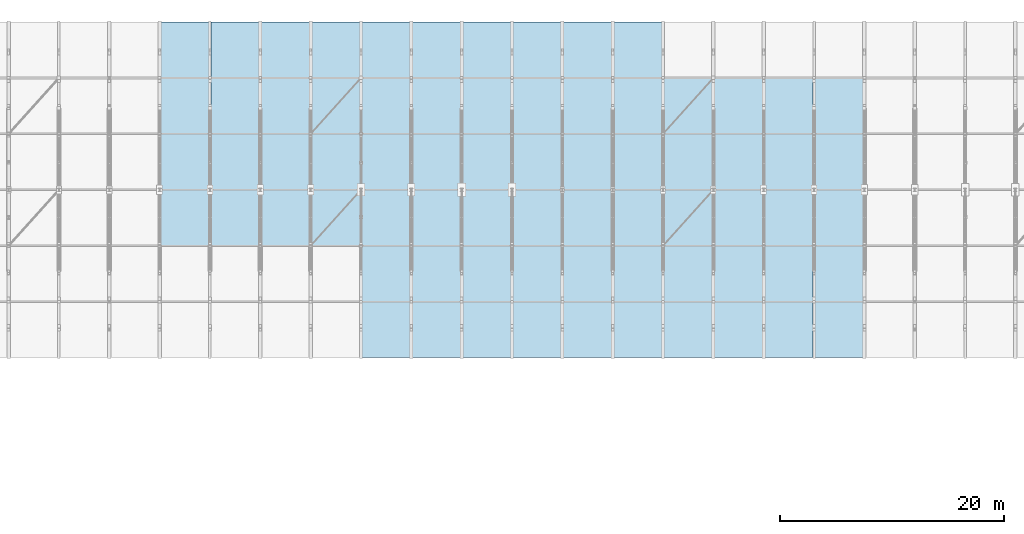
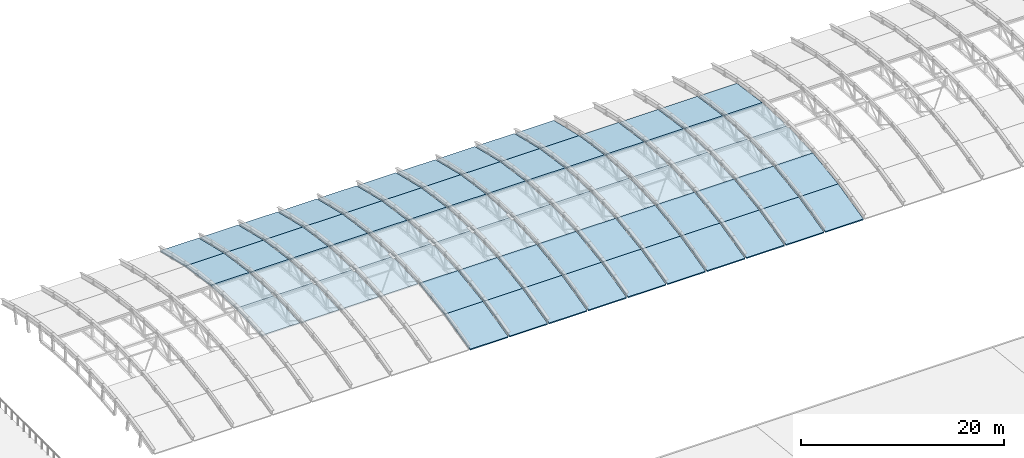
# One storey, part 44 of 53: 72 roofs.
"""IFC4 building model written with IfcOpenShell, lengths in metres."""

import ifcopenshell
import ifcopenshell.guid

model = None  # the IFC model being written
_history = None  # IfcOwnerHistory: only IFC2X3 demands one
_inside = {}  # id of a spatial element -> (the spatial element, [elements in it])
_under = {}  # id of a project, library or spatial element -> (it, [spatial elements below it])
_declared = {}  # id of a project -> (the project, [libraries it declares])
_typed = {}  # id of a type object -> (the type object, [elements of that type])
_made_of = {}  # id of a material, layer set ... -> (it, [elements and type objects made of it])


def new_model(schema):
    """Start an empty IFC model of exactly this schema.

    Asked for "IFC4X3", IfcOpenShell would pick the latest addendum, in which some entities
    have other attributes; the version numbers below select the first issue.
    IFC2X3 requires an IfcOwnerHistory on every rooted entity: one is made here for all.
    """
    global model, _history
    if schema == "IFC4X3":
        model = ifcopenshell.file(schema_version=(4, 3, 0, 0))
    else:
        model = ifcopenshell.file(schema=schema)
    _inside.clear()
    _under.clear()
    _declared.clear()
    _typed.clear()
    _made_of.clear()
    _history = None
    if model.schema == "IFC2X3":
        org = make("IfcOrganization", Name="unknown")
        user = make(
            "IfcPersonAndOrganization",
            ThePerson=make("IfcPerson", FamilyName="unknown"),
            TheOrganization=org,
        )
        app = make(
            "IfcApplication",
            ApplicationDeveloper=org,
            Version="unknown",
            ApplicationFullName="unknown",
            ApplicationIdentifier="unknown",
        )
        _history = make(
            "IfcOwnerHistory",
            OwningUser=user,
            OwningApplication=app,
            ChangeAction="ADDED",
            CreationDate=0,
        )
    return model


def make(cls, **values):
    """One entity of the class cls with the attributes given. An attribute that is None is left unset."""
    return model.create_entity(
        cls, **{name: value for name, value in values.items() if value is not None}
    )


def rooted(cls, **values):
    """An entity with a GlobalId (a new one), such as an element, a storey or a relation."""
    return make(cls, GlobalId=ifcopenshell.guid.new(), OwnerHistory=_history, **values)


def si_unit(unit_type, name, prefix=None):
    """IfcSIUnit, for example si_unit("LENGTHUNIT", "METRE", prefix="MILLI")."""
    return make("IfcSIUnit", UnitType=unit_type, Prefix=prefix, Name=name)


def assignment(units):
    """IfcUnitAssignment: the units of a project."""
    return None if units is None else make("IfcUnitAssignment", Units=units)


def point(xyz):
    """IfcCartesianPoint."""
    return None if xyz is None else make("IfcCartesianPoint", Coordinates=xyz)


def direction(xyz):
    """IfcDirection."""
    return None if xyz is None else make("IfcDirection", DirectionRatios=xyz)


def frame(location, z_axis=None, x_axis=None):
    """IfcAxis2Placement3D, a coordinate frame: its origin and axes. An axis left out is left unset."""
    return make(
        "IfcAxis2Placement3D",
        Location=point(location),
        Axis=direction(z_axis),
        RefDirection=direction(x_axis),
    )


def origin():
    """The frame at (0, 0, 0) with its axes left unset."""
    return frame((0.0, 0.0, 0.0))


def place(relative_to, where):
    """IfcLocalPlacement: puts the frame where relative to a parent placement (None: the world)."""
    return make(
        "IfcLocalPlacement", PlacementRelTo=relative_to, RelativePlacement=where
    )


def context(
    kind, dimensions, precision=None, world=None, true_north=None, identifier=None
):
    """IfcGeometricRepresentationContext, for example the 3D "Model" context."""
    return make(
        "IfcGeometricRepresentationContext",
        ContextIdentifier=identifier,
        ContextType=kind,
        CoordinateSpaceDimension=dimensions,
        Precision=precision,
        WorldCoordinateSystem=world,
        TrueNorth=true_north,
    )


def subcontext(parent, identifier, kind, view, scale=None):
    """IfcGeometricRepresentationSubContext, for example "Body" below "Model"."""
    return make(
        "IfcGeometricRepresentationSubContext",
        ContextIdentifier=identifier,
        ContextType=kind,
        ParentContext=parent,
        TargetScale=scale,
        TargetView=view,
    )


def project(units=None, contexts=None):
    """IfcProject with its units and contexts."""
    return rooted(
        "IfcProject",
        Name="project",
        RepresentationContexts=contexts,
        UnitsInContext=assignment(units),
    )


def spatial(cls, under=None, at=None, **own):
    """A site, building, storey or space (cls), placed at a placement, below another one or the project."""
    s = rooted(cls, ObjectPlacement=at, **own)
    if under is not None:
        _under.setdefault(under.id(), (under, []))[1].append(s)
    return s


def polyline(points):
    """IfcPolyline through the points."""
    return make("IfcPolyline", Points=[point(p) for p in points])


def outline(outer, holes=None, kind="AREA"):
    """IfcArbitraryClosedProfileDef: a profile drawn as a closed curve; with holes, ...WithVoids."""
    if holes is None:
        return make("IfcArbitraryClosedProfileDef", ProfileType=kind, OuterCurve=outer)
    return make(
        "IfcArbitraryProfileDefWithVoids",
        ProfileType=kind,
        OuterCurve=outer,
        InnerCurves=holes,
    )


def extrude(swept, where, along, depth):
    """IfcExtrudedAreaSolid: the profile swept, set in the frame where, extruded along a direction by depth."""
    return make(
        "IfcExtrudedAreaSolid",
        SweptArea=swept,
        Position=where,
        ExtrudedDirection=direction(along),
        Depth=depth,
    )


def shape(context_of_items, identifier, shape_type, items):
    """IfcShapeRepresentation: the items that make up one representation, for example the "Body"."""
    return make(
        "IfcShapeRepresentation",
        ContextOfItems=context_of_items,
        RepresentationIdentifier=identifier,
        RepresentationType=shape_type,
        Items=items,
    )


def material(Name=None, Category=None):
    """IfcMaterial."""
    return make("IfcMaterial", Name=Name, Category=Category)


def made_of(thing, what):
    """Note that an element or type object is made of a material, layer set ...; save() writes the relation."""
    if what is not None:
        _made_of.setdefault(what.id(), (what, []))[1].append(thing)
    return thing


def type_object(cls, material=None, **own):
    """A type object (cls), such as IfcWallType, which elements share."""
    return made_of(rooted(cls, **own), material)


def element(
    cls,
    number,
    at=None,
    inside=None,
    cuts=None,
    type_object=None,
    material=None,
    context=None,
    identifier="Body",
    shape_type=None,
    held_by="IfcProductDefinitionShape",
    body=None,
    shapes=None,
    **own,
):
    """One element of the class cls, such as IfcWall. Its Tag is "e" and its number.

    at: its placement. inside: the storey or other place that contains it. cuts: it is an
    opening in that element (IfcRelVoidsElement). A single representation is given by context,
    identifier, shape_type and body (its items); several are given by shapes. held_by: the class
    of the entity that holds the representations. save() writes the other relations.
    """
    e = rooted(cls, Tag="e%d" % number, ObjectPlacement=at, **own)
    if body is not None:
        shapes = [shape(context, identifier, shape_type, body)]
    if shapes is not None:
        e.Representation = make(held_by, Representations=shapes)
    if inside is not None:
        _inside.setdefault(inside.id(), (inside, []))[1].append(e)
    if cuts is not None:
        rooted(
            "IfcRelVoidsElement", RelatingBuildingElement=cuts, RelatedOpeningElement=e
        )
    if type_object is not None:
        _typed.setdefault(type_object.id(), (type_object, []))[1].append(e)
    return made_of(e, material)


def aggregate(whole, parts):
    """IfcRelAggregates: a whole, such as a stair, and the parts it consists of."""
    return rooted("IfcRelAggregates", RelatingObject=whole, RelatedObjects=parts)


def save(model, path):
    """Write the relations noted so far, then the file.

    IfcRelAggregates (storeys below a building ...), IfcRelContainedInSpatialStructure (elements
    in a storey), IfcRelDefinesByType, IfcRelAssociatesMaterial and IfcRelDeclares: one each for
    every whole, place, type object, material and project.
    """
    for whole, parts in _under.values():
        aggregate(whole, parts)
    for where, things in _inside.values():
        rooted(
            "IfcRelContainedInSpatialStructure",
            RelatedElements=things,
            RelatingStructure=where,
        )
    for kind, things in _typed.values():
        rooted("IfcRelDefinesByType", RelatedObjects=things, RelatingType=kind)
    for what, things in _made_of.values():
        rooted("IfcRelAssociatesMaterial", RelatedObjects=things, RelatingMaterial=what)
    for by, libraries in _declared.values():
        rooted("IfcRelDeclares", RelatingContext=by, RelatedDefinitions=libraries)
    model.write(path)


model = new_model("IFC4")

# Units and contexts
model_context = context("Model", 3, precision=1e-05, world=origin(), true_north=direction((0.0, 1.0)))
body_context = subcontext(model_context, "Body", "Model", "MODEL_VIEW")
ifc_project = project(units=[si_unit("LENGTHUNIT", "METRE"), si_unit("AREAUNIT", "SQUARE_METRE"), si_unit("VOLUMEUNIT", "CUBIC_METRE"), si_unit("PLANEANGLEUNIT", "RADIAN"), si_unit("MASSUNIT", "GRAM", prefix="KILO")], contexts=[model_context])

# Site, building, storey
site_placement = place(None, origin())
site = spatial("IfcSite", under=ifc_project, at=site_placement, CompositionType="ELEMENT")
building_placement = place(site_placement, origin())
building = spatial("IfcBuilding", under=site, at=building_placement, Name="Cazmaro Siding Exhibition Halls", CompositionType="ELEMENT")
storey_placement = place(building_placement, frame((0.0, 0.0, 21.0)))
storey = spatial("IfcBuildingStorey", under=building, at=storey_placement, Name="L04", CompositionType="ELEMENT", Elevation=21.0)

# Roofs
ifc_material = material(Name="Standing Seam Zinc Insulated Roof Assembly", Category="steel")
roof_type = type_object("IfcRoofType", Name="RF-BARREL-01", PredefinedType="BARREL_ROOF", material=ifc_material)
for number, where, z_axis, x_axis, name in (
    (1, (63.0849609375, 89.0, 2.02587890625), (0.0, -0.046774918499, 0.998905454485), (1.0, 0.0, 0.0), "Primary Hall Standing Seam Zinc Roof Cassette RF-V1 054"),
    (2, (63.0849609375, 94.0, 2.260009765625), (0.0, 0.046774918499, 0.998905454485), (1.0, 0.0, 0.0), "Primary Hall Standing Seam Zinc Roof Cassette RF-V1 055"),
):
    element("IfcRoof", number, at=place(storey_placement, frame(where, z_axis=z_axis, x_axis=x_axis)), inside=storey, type_object=roof_type, Name=name, PredefinedType="BARREL_ROOF", context=body_context, shape_type="SweptSolid", body=[
        extrude(outline(polyline([(0.0, 0.0), (4.330078125, 0.0), (4.330078125, 5.005478724289183), (0.0, 5.005478724289183), (0.0, 0.0)])), origin(), (0.0, 0.0, -1.0), 0.159912109375),
    ])
roof_1_placement = place(storey_placement, frame((63.0849609375, 99.0, 2.02587890625), z_axis=(0.0, 0.140392508323, 0.990095926467), x_axis=(1.0, 0.0, 0.0)))
element("IfcRoof", 3, at=roof_1_placement, inside=storey, type_object=roof_type, Name="Primary Hall Standing Seam Zinc Roof Cassette RF-V1 056", PredefinedType="BARREL_ROOF", context=body_context, shape_type="SweptSolid", body=[
    extrude(outline(polyline([(0.0, 0.0), (4.330078125, 0.0), (4.330078125, 5.050015727103643), (0.0, 5.050015727103643), (0.0, 0.0)])), origin(), (0.0, 0.0, -1.0), 0.159912109375),
])
roof_2_placement = place(storey_placement, frame((63.0849609375, 104.0, 1.31689453125), z_axis=(0.0, 0.233723079924, 0.972303204721), x_axis=(1.0, 0.0, 0.0)))
element("IfcRoof", 4, at=roof_2_placement, inside=storey, type_object=roof_type, Name="Primary Hall Standing Seam Zinc Roof Cassette RF-V1 057", PredefinedType="BARREL_ROOF", context=body_context, shape_type="SweptSolid", body=[
    extrude(outline(polyline([(0.0, 0.0), (4.330078125, 0.0), (4.330078125, 5.142428797644804), (0.0, 5.142428797644804), (0.0, 0.0)])), origin(), (0.0, 0.0, -1.0), 0.159912109375),
])
for number, where, z_axis, x_axis, name in (
    (5, (67.5849609375, 89.0, 2.02587890625), (0.0, -0.046774918499, 0.998905454485), (1.0, 0.0, 0.0), "Primary Hall Standing Seam Zinc Roof Cassette RF-V1 066"),
    (6, (67.5849609375, 94.0, 2.260009765625), (0.0, 0.046774918499, 0.998905454485), (1.0, 0.0, 0.0), "Primary Hall Standing Seam Zinc Roof Cassette RF-V1 067"),
):
    element("IfcRoof", number, at=place(storey_placement, frame(where, z_axis=z_axis, x_axis=x_axis)), inside=storey, type_object=roof_type, Name=name, PredefinedType="BARREL_ROOF", context=body_context, shape_type="SweptSolid", body=[
        extrude(outline(polyline([(0.0, 0.0), (4.330078125, 0.0), (4.330078125, 5.005478724289183), (0.0, 5.005478724289183), (0.0, 0.0)])), origin(), (0.0, 0.0, -1.0), 0.159912109375),
    ])
roof_3_placement = place(storey_placement, frame((67.5849609375, 99.0, 2.02587890625), z_axis=(0.0, 0.140392508323, 0.990095926467), x_axis=(1.0, 0.0, 0.0)))
element("IfcRoof", 7, at=roof_3_placement, inside=storey, type_object=roof_type, Name="Primary Hall Standing Seam Zinc Roof Cassette RF-V1 068", PredefinedType="BARREL_ROOF", context=body_context, shape_type="SweptSolid", body=[
    extrude(outline(polyline([(0.0, 0.0), (4.330078125, 0.0), (4.330078125, 5.050015727103643), (0.0, 5.050015727103643), (0.0, 0.0)])), origin(), (0.0, 0.0, -1.0), 0.159912109375),
])
roof_4_placement = place(storey_placement, frame((67.5849609375, 104.0, 1.31689453125), z_axis=(0.0, 0.233723079924, 0.972303204721), x_axis=(1.0, 0.0, 0.0)))
element("IfcRoof", 8, at=roof_4_placement, inside=storey, type_object=roof_type, Name="Primary Hall Standing Seam Zinc Roof Cassette RF-V1 069", PredefinedType="BARREL_ROOF", context=body_context, shape_type="SweptSolid", body=[
    extrude(outline(polyline([(0.0, 0.0), (4.330078125, 0.0), (4.330078125, 5.142428797644804), (0.0, 5.142428797644804), (0.0, 0.0)])), origin(), (0.0, 0.0, -1.0), 0.159912109375),
])
for number, where, z_axis, x_axis, name in (
    (9, (72.0849609375, 89.0, 2.02587890625), (0.0, -0.046774918499, 0.998905454485), (1.0, 0.0, 0.0), "Primary Hall Standing Seam Zinc Roof Cassette RF-V1 078"),
    (10, (72.0849609375, 94.0, 2.260009765625), (0.0, 0.046774918499, 0.998905454485), (1.0, 0.0, 0.0), "Primary Hall Standing Seam Zinc Roof Cassette RF-V1 079"),
):
    element("IfcRoof", number, at=place(storey_placement, frame(where, z_axis=z_axis, x_axis=x_axis)), inside=storey, type_object=roof_type, Name=name, PredefinedType="BARREL_ROOF", context=body_context, shape_type="SweptSolid", body=[
        extrude(outline(polyline([(0.0, 0.0), (4.330078125, 0.0), (4.330078125, 5.005478724289183), (0.0, 5.005478724289183), (0.0, 0.0)])), origin(), (0.0, 0.0, -1.0), 0.159912109375),
    ])
roof_5_placement = place(storey_placement, frame((72.0849609375, 99.0, 2.02587890625), z_axis=(0.0, 0.140392508323, 0.990095926467), x_axis=(1.0, 0.0, 0.0)))
element("IfcRoof", 11, at=roof_5_placement, inside=storey, type_object=roof_type, Name="Primary Hall Standing Seam Zinc Roof Cassette RF-V1 080", PredefinedType="BARREL_ROOF", context=body_context, shape_type="SweptSolid", body=[
    extrude(outline(polyline([(0.0, 0.0), (4.330078125, 0.0), (4.330078125, 5.050015727103643), (0.0, 5.050015727103643), (0.0, 0.0)])), origin(), (0.0, 0.0, -1.0), 0.159912109375),
])
roof_6_placement = place(storey_placement, frame((72.0849609375, 104.0, 1.31689453125), z_axis=(0.0, 0.233723079924, 0.972303204721), x_axis=(1.0, 0.0, 0.0)))
element("IfcRoof", 12, at=roof_6_placement, inside=storey, type_object=roof_type, Name="Primary Hall Standing Seam Zinc Roof Cassette RF-V1 081", PredefinedType="BARREL_ROOF", context=body_context, shape_type="SweptSolid", body=[
    extrude(outline(polyline([(0.0, 0.0), (4.330078125, 0.0), (4.330078125, 5.142428797644804), (0.0, 5.142428797644804), (0.0, 0.0)])), origin(), (0.0, 0.0, -1.0), 0.159912109375),
])
for number, where, z_axis, x_axis, name in (
    (13, (76.5849609375, 89.0, 2.02587890625), (0.0, -0.046774918499, 0.998905454485), (1.0, 0.0, 0.0), "Primary Hall Standing Seam Zinc Roof Cassette RF-V1 090"),
    (14, (76.5849609375, 94.0, 2.260009765625), (0.0, 0.046774918499, 0.998905454485), (1.0, 0.0, 0.0), "Primary Hall Standing Seam Zinc Roof Cassette RF-V1 091"),
):
    element("IfcRoof", number, at=place(storey_placement, frame(where, z_axis=z_axis, x_axis=x_axis)), inside=storey, type_object=roof_type, Name=name, PredefinedType="BARREL_ROOF", context=body_context, shape_type="SweptSolid", body=[
        extrude(outline(polyline([(0.0, 0.0), (4.330078125, 0.0), (4.330078125, 5.005478724289183), (0.0, 5.005478724289183), (0.0, 0.0)])), origin(), (0.0, 0.0, -1.0), 0.159912109375),
    ])
roof_7_placement = place(storey_placement, frame((76.5849609375, 99.0, 2.02587890625), z_axis=(0.0, 0.140392508323, 0.990095926467), x_axis=(1.0, 0.0, 0.0)))
element("IfcRoof", 15, at=roof_7_placement, inside=storey, type_object=roof_type, Name="Primary Hall Standing Seam Zinc Roof Cassette RF-V1 092", PredefinedType="BARREL_ROOF", context=body_context, shape_type="SweptSolid", body=[
    extrude(outline(polyline([(0.0, 0.0), (4.330078125, 0.0), (4.330078125, 5.050015727103643), (0.0, 5.050015727103643), (0.0, 0.0)])), origin(), (0.0, 0.0, -1.0), 0.159912109375),
])
for number, where, z_axis, x_axis, name in (
    (16, (76.5849609375, 104.0, 1.31689453125), (0.0, 0.233723079924, 0.972303204721), (1.0, 0.0, 0.0), "Primary Hall Standing Seam Zinc Roof Cassette RF-V1 093"),
    (17, (81.0849609375, 79.0, 0.114990234375), (0.0, -0.233723079924, 0.972303204721), (1.0, 0.0, 0.0), "Primary Hall Standing Seam Zinc Roof Cassette RF-V1 100"),
):
    element("IfcRoof", number, at=place(storey_placement, frame(where, z_axis=z_axis, x_axis=x_axis)), inside=storey, type_object=roof_type, Name=name, PredefinedType="BARREL_ROOF", context=body_context, shape_type="SweptSolid", body=[
        extrude(outline(polyline([(0.0, 0.0), (4.330078125, 0.0), (4.330078125, 5.142428797644804), (0.0, 5.142428797644804), (0.0, 0.0)])), origin(), (0.0, 0.0, -1.0), 0.159912109375),
    ])
roof_8_placement = place(storey_placement, frame((81.0849609375, 84.0, 1.31689453125), z_axis=(0.0, -0.140392508323, 0.990095926467), x_axis=(1.0, 0.0, 0.0)))
element("IfcRoof", 18, at=roof_8_placement, inside=storey, type_object=roof_type, Name="Primary Hall Standing Seam Zinc Roof Cassette RF-V1 101", PredefinedType="BARREL_ROOF", context=body_context, shape_type="SweptSolid", body=[
    extrude(outline(polyline([(0.0, 0.0), (4.330078125, 0.0), (4.330078125, 5.050015727103643), (0.0, 5.050015727103643), (0.0, 0.0)])), origin(), (0.0, 0.0, -1.0), 0.159912109375),
])
for number, where, z_axis, x_axis, name in (
    (19, (81.0849609375, 89.0, 2.02587890625), (0.0, -0.046774918499, 0.998905454485), (1.0, 0.0, 0.0), "Primary Hall Standing Seam Zinc Roof Cassette RF-V1 102"),
    (20, (81.0849609375, 94.0, 2.260009765625), (0.0, 0.046774918499, 0.998905454485), (1.0, 0.0, 0.0), "Primary Hall Standing Seam Zinc Roof Cassette RF-V1 103"),
):
    element("IfcRoof", number, at=place(storey_placement, frame(where, z_axis=z_axis, x_axis=x_axis)), inside=storey, type_object=roof_type, Name=name, PredefinedType="BARREL_ROOF", context=body_context, shape_type="SweptSolid", body=[
        extrude(outline(polyline([(0.0, 0.0), (4.330078125, 0.0), (4.330078125, 5.005478724289183), (0.0, 5.005478724289183), (0.0, 0.0)])), origin(), (0.0, 0.0, -1.0), 0.159912109375),
    ])
roof_9_placement = place(storey_placement, frame((81.0849609375, 99.0, 2.02587890625), z_axis=(0.0, 0.140392508323, 0.990095926467), x_axis=(1.0, 0.0, 0.0)))
element("IfcRoof", 21, at=roof_9_placement, inside=storey, type_object=roof_type, Name="Primary Hall Standing Seam Zinc Roof Cassette RF-V1 104", PredefinedType="BARREL_ROOF", context=body_context, shape_type="SweptSolid", body=[
    extrude(outline(polyline([(0.0, 0.0), (4.330078125, 0.0), (4.330078125, 5.050015727103643), (0.0, 5.050015727103643), (0.0, 0.0)])), origin(), (0.0, 0.0, -1.0), 0.159912109375),
])
for number, where, z_axis, x_axis, name in (
    (22, (81.0849609375, 104.0, 1.31689453125), (0.0, 0.233723079924, 0.972303204721), (1.0, 0.0, 0.0), "Primary Hall Standing Seam Zinc Roof Cassette RF-V1 105"),
    (23, (85.5849609375, 79.0, 0.114990234375), (0.0, -0.233723079924, 0.972303204721), (1.0, 0.0, 0.0), "Primary Hall Standing Seam Zinc Roof Cassette RF-V1 112"),
):
    element("IfcRoof", number, at=place(storey_placement, frame(where, z_axis=z_axis, x_axis=x_axis)), inside=storey, type_object=roof_type, Name=name, PredefinedType="BARREL_ROOF", context=body_context, shape_type="SweptSolid", body=[
        extrude(outline(polyline([(0.0, 0.0), (4.330078125, 0.0), (4.330078125, 5.142428797644804), (0.0, 5.142428797644804), (0.0, 0.0)])), origin(), (0.0, 0.0, -1.0), 0.159912109375),
    ])
roof_10_placement = place(storey_placement, frame((85.5849609375, 84.0, 1.31689453125), z_axis=(0.0, -0.140392508323, 0.990095926467), x_axis=(1.0, 0.0, 0.0)))
element("IfcRoof", 24, at=roof_10_placement, inside=storey, type_object=roof_type, Name="Primary Hall Standing Seam Zinc Roof Cassette RF-V1 113", PredefinedType="BARREL_ROOF", context=body_context, shape_type="SweptSolid", body=[
    extrude(outline(polyline([(0.0, 0.0), (4.330078125, 0.0), (4.330078125, 5.050015727103643), (0.0, 5.050015727103643), (0.0, 0.0)])), origin(), (0.0, 0.0, -1.0), 0.159912109375),
])
for number, where, z_axis, x_axis, name in (
    (25, (85.5849609375, 89.0, 2.02587890625), (0.0, -0.046774918499, 0.998905454485), (1.0, 0.0, 0.0), "Primary Hall Standing Seam Zinc Roof Cassette RF-V1 114"),
    (26, (85.5849609375, 94.0, 2.260009765625), (0.0, 0.046774918499, 0.998905454485), (1.0, 0.0, 0.0), "Primary Hall Standing Seam Zinc Roof Cassette RF-V1 115"),
):
    element("IfcRoof", number, at=place(storey_placement, frame(where, z_axis=z_axis, x_axis=x_axis)), inside=storey, type_object=roof_type, Name=name, PredefinedType="BARREL_ROOF", context=body_context, shape_type="SweptSolid", body=[
        extrude(outline(polyline([(0.0, 0.0), (4.330078125, 0.0), (4.330078125, 5.005478724289183), (0.0, 5.005478724289183), (0.0, 0.0)])), origin(), (0.0, 0.0, -1.0), 0.159912109375),
    ])
roof_11_placement = place(storey_placement, frame((85.5849609375, 99.0, 2.02587890625), z_axis=(0.0, 0.140392508323, 0.990095926467), x_axis=(1.0, 0.0, 0.0)))
element("IfcRoof", 27, at=roof_11_placement, inside=storey, type_object=roof_type, Name="Primary Hall Standing Seam Zinc Roof Cassette RF-V1 116", PredefinedType="BARREL_ROOF", context=body_context, shape_type="SweptSolid", body=[
    extrude(outline(polyline([(0.0, 0.0), (4.330078125, 0.0), (4.330078125, 5.050015727103643), (0.0, 5.050015727103643), (0.0, 0.0)])), origin(), (0.0, 0.0, -1.0), 0.159912109375),
])
for number, where, z_axis, x_axis, name in (
    (28, (85.5849609375, 104.0, 1.31689453125), (0.0, 0.233723079924, 0.972303204721), (1.0, 0.0, 0.0), "Primary Hall Standing Seam Zinc Roof Cassette RF-V1 117"),
    (29, (90.0849609375, 79.0, 0.114990234375), (0.0, -0.233723079924, 0.972303204721), (1.0, 0.0, 0.0), "Primary Hall Standing Seam Zinc Roof Cassette RF-V1 124"),
):
    element("IfcRoof", number, at=place(storey_placement, frame(where, z_axis=z_axis, x_axis=x_axis)), inside=storey, type_object=roof_type, Name=name, PredefinedType="BARREL_ROOF", context=body_context, shape_type="SweptSolid", body=[
        extrude(outline(polyline([(0.0, 0.0), (4.330078125, 0.0), (4.330078125, 5.142428797644804), (0.0, 5.142428797644804), (0.0, 0.0)])), origin(), (0.0, 0.0, -1.0), 0.159912109375),
    ])
roof_12_placement = place(storey_placement, frame((90.0849609375, 84.0, 1.31689453125), z_axis=(0.0, -0.140392508323, 0.990095926467), x_axis=(1.0, 0.0, 0.0)))
element("IfcRoof", 30, at=roof_12_placement, inside=storey, type_object=roof_type, Name="Primary Hall Standing Seam Zinc Roof Cassette RF-V1 125", PredefinedType="BARREL_ROOF", context=body_context, shape_type="SweptSolid", body=[
    extrude(outline(polyline([(0.0, 0.0), (4.330078125, 0.0), (4.330078125, 5.050015727103643), (0.0, 5.050015727103643), (0.0, 0.0)])), origin(), (0.0, 0.0, -1.0), 0.159912109375),
])
for number, where, z_axis, x_axis, name in (
    (31, (90.0849609375, 89.0, 2.02587890625), (0.0, -0.046774918499, 0.998905454485), (1.0, 0.0, 0.0), "Primary Hall Standing Seam Zinc Roof Cassette RF-V1 126"),
    (32, (90.0849609375, 94.0, 2.260009765625), (0.0, 0.046774918499, 0.998905454485), (1.0, 0.0, 0.0), "Primary Hall Standing Seam Zinc Roof Cassette RF-V1 127"),
):
    element("IfcRoof", number, at=place(storey_placement, frame(where, z_axis=z_axis, x_axis=x_axis)), inside=storey, type_object=roof_type, Name=name, PredefinedType="BARREL_ROOF", context=body_context, shape_type="SweptSolid", body=[
        extrude(outline(polyline([(0.0, 0.0), (4.330078125, 0.0), (4.330078125, 5.005478724289183), (0.0, 5.005478724289183), (0.0, 0.0)])), origin(), (0.0, 0.0, -1.0), 0.159912109375),
    ])
roof_13_placement = place(storey_placement, frame((90.0849609375, 99.0, 2.02587890625), z_axis=(0.0, 0.140392508323, 0.990095926467), x_axis=(1.0, 0.0, 0.0)))
element("IfcRoof", 33, at=roof_13_placement, inside=storey, type_object=roof_type, Name="Primary Hall Standing Seam Zinc Roof Cassette RF-V1 128", PredefinedType="BARREL_ROOF", context=body_context, shape_type="SweptSolid", body=[
    extrude(outline(polyline([(0.0, 0.0), (4.330078125, 0.0), (4.330078125, 5.050015727103643), (0.0, 5.050015727103643), (0.0, 0.0)])), origin(), (0.0, 0.0, -1.0), 0.159912109375),
])
for number, where, z_axis, x_axis, name in (
    (34, (90.0849609375, 104.0, 1.31689453125), (0.0, 0.233723079924, 0.972303204721), (1.0, 0.0, 0.0), "Primary Hall Standing Seam Zinc Roof Cassette RF-V1 129"),
    (35, (94.5849609375, 79.0, 0.114990234375), (0.0, -0.233723079924, 0.972303204721), (1.0, 0.0, 0.0), "Primary Hall Standing Seam Zinc Roof Cassette RF-V1 136"),
):
    element("IfcRoof", number, at=place(storey_placement, frame(where, z_axis=z_axis, x_axis=x_axis)), inside=storey, type_object=roof_type, Name=name, PredefinedType="BARREL_ROOF", context=body_context, shape_type="SweptSolid", body=[
        extrude(outline(polyline([(0.0, 0.0), (4.330078125, 0.0), (4.330078125, 5.142428797644804), (0.0, 5.142428797644804), (0.0, 0.0)])), origin(), (0.0, 0.0, -1.0), 0.159912109375),
    ])
roof_14_placement = place(storey_placement, frame((94.5849609375, 84.0, 1.31689453125), z_axis=(0.0, -0.140392508323, 0.990095926467), x_axis=(1.0, 0.0, 0.0)))
element("IfcRoof", 36, at=roof_14_placement, inside=storey, type_object=roof_type, Name="Primary Hall Standing Seam Zinc Roof Cassette RF-V1 137", PredefinedType="BARREL_ROOF", context=body_context, shape_type="SweptSolid", body=[
    extrude(outline(polyline([(0.0, 0.0), (4.330078125, 0.0), (4.330078125, 5.050015727103643), (0.0, 5.050015727103643), (0.0, 0.0)])), origin(), (0.0, 0.0, -1.0), 0.159912109375),
])
for number, where, z_axis, x_axis, name in (
    (37, (94.5849609375, 89.0, 2.02587890625), (0.0, -0.046774918499, 0.998905454485), (1.0, 0.0, 0.0), "Primary Hall Standing Seam Zinc Roof Cassette RF-V1 138"),
    (38, (94.5849609375, 94.0, 2.260009765625), (0.0, 0.046774918499, 0.998905454485), (1.0, 0.0, 0.0), "Primary Hall Standing Seam Zinc Roof Cassette RF-V1 139"),
):
    element("IfcRoof", number, at=place(storey_placement, frame(where, z_axis=z_axis, x_axis=x_axis)), inside=storey, type_object=roof_type, Name=name, PredefinedType="BARREL_ROOF", context=body_context, shape_type="SweptSolid", body=[
        extrude(outline(polyline([(0.0, 0.0), (4.330078125, 0.0), (4.330078125, 5.005478724289183), (0.0, 5.005478724289183), (0.0, 0.0)])), origin(), (0.0, 0.0, -1.0), 0.159912109375),
    ])
roof_15_placement = place(storey_placement, frame((94.5849609375, 99.0, 2.02587890625), z_axis=(0.0, 0.140392508323, 0.990095926467), x_axis=(1.0, 0.0, 0.0)))
element("IfcRoof", 39, at=roof_15_placement, inside=storey, type_object=roof_type, Name="Primary Hall Standing Seam Zinc Roof Cassette RF-V1 140", PredefinedType="BARREL_ROOF", context=body_context, shape_type="SweptSolid", body=[
    extrude(outline(polyline([(0.0, 0.0), (4.330078125, 0.0), (4.330078125, 5.050015727103643), (0.0, 5.050015727103643), (0.0, 0.0)])), origin(), (0.0, 0.0, -1.0), 0.159912109375),
])
for number, where, z_axis, x_axis, name in (
    (40, (94.5849609375, 104.0, 1.31689453125), (0.0, 0.233723079924, 0.972303204721), (1.0, 0.0, 0.0), "Primary Hall Standing Seam Zinc Roof Cassette RF-V1 141"),
    (41, (99.0849609375, 79.0, 0.114990234375), (0.0, -0.233723079924, 0.972303204721), (1.0, 0.0, 0.0), "Primary Hall Standing Seam Zinc Roof Cassette RF-V1 148"),
):
    element("IfcRoof", number, at=place(storey_placement, frame(where, z_axis=z_axis, x_axis=x_axis)), inside=storey, type_object=roof_type, Name=name, PredefinedType="BARREL_ROOF", context=body_context, shape_type="SweptSolid", body=[
        extrude(outline(polyline([(0.0, 0.0), (4.330078125, 0.0), (4.330078125, 5.142428797644804), (0.0, 5.142428797644804), (0.0, 0.0)])), origin(), (0.0, 0.0, -1.0), 0.159912109375),
    ])
roof_16_placement = place(storey_placement, frame((99.0849609375, 84.0, 1.31689453125), z_axis=(0.0, -0.140392508323, 0.990095926467), x_axis=(1.0, 0.0, 0.0)))
element("IfcRoof", 42, at=roof_16_placement, inside=storey, type_object=roof_type, Name="Primary Hall Standing Seam Zinc Roof Cassette RF-V1 149", PredefinedType="BARREL_ROOF", context=body_context, shape_type="SweptSolid", body=[
    extrude(outline(polyline([(0.0, 0.0), (4.330078125, 0.0), (4.330078125, 5.050015727103643), (0.0, 5.050015727103643), (0.0, 0.0)])), origin(), (0.0, 0.0, -1.0), 0.159912109375),
])
for number, where, z_axis, x_axis, name in (
    (43, (99.0849609375, 89.0, 2.02587890625), (0.0, -0.046774918499, 0.998905454485), (1.0, 0.0, 0.0), "Primary Hall Standing Seam Zinc Roof Cassette RF-V1 150"),
    (44, (99.0849609375, 94.0, 2.260009765625), (0.0, 0.046774918499, 0.998905454485), (1.0, 0.0, 0.0), "Primary Hall Standing Seam Zinc Roof Cassette RF-V1 151"),
):
    element("IfcRoof", number, at=place(storey_placement, frame(where, z_axis=z_axis, x_axis=x_axis)), inside=storey, type_object=roof_type, Name=name, PredefinedType="BARREL_ROOF", context=body_context, shape_type="SweptSolid", body=[
        extrude(outline(polyline([(0.0, 0.0), (4.330078125, 0.0), (4.330078125, 5.005478724289183), (0.0, 5.005478724289183), (0.0, 0.0)])), origin(), (0.0, 0.0, -1.0), 0.159912109375),
    ])
roof_17_placement = place(storey_placement, frame((99.0849609375, 99.0, 2.02587890625), z_axis=(0.0, 0.140392508323, 0.990095926467), x_axis=(1.0, 0.0, 0.0)))
element("IfcRoof", 45, at=roof_17_placement, inside=storey, type_object=roof_type, Name="Primary Hall Standing Seam Zinc Roof Cassette RF-V1 152", PredefinedType="BARREL_ROOF", context=body_context, shape_type="SweptSolid", body=[
    extrude(outline(polyline([(0.0, 0.0), (4.330078125, 0.0), (4.330078125, 5.050015727103643), (0.0, 5.050015727103643), (0.0, 0.0)])), origin(), (0.0, 0.0, -1.0), 0.159912109375),
])
for number, where, z_axis, x_axis, name in (
    (46, (99.0849609375, 104.0, 1.31689453125), (0.0, 0.233723079924, 0.972303204721), (1.0, 0.0, 0.0), "Primary Hall Standing Seam Zinc Roof Cassette RF-V1 153"),
    (47, (103.5849609375, 79.0, 0.114990234375), (0.0, -0.233723079924, 0.972303204721), (1.0, 0.0, 0.0), "Primary Hall Standing Seam Zinc Roof Cassette RF-V1 160"),
):
    element("IfcRoof", number, at=place(storey_placement, frame(where, z_axis=z_axis, x_axis=x_axis)), inside=storey, type_object=roof_type, Name=name, PredefinedType="BARREL_ROOF", context=body_context, shape_type="SweptSolid", body=[
        extrude(outline(polyline([(0.0, 0.0), (4.330078125, 0.0), (4.330078125, 5.142428797644804), (0.0, 5.142428797644804), (0.0, 0.0)])), origin(), (0.0, 0.0, -1.0), 0.159912109375),
    ])
roof_18_placement = place(storey_placement, frame((103.5849609375, 84.0, 1.31689453125), z_axis=(0.0, -0.140392508323, 0.990095926467), x_axis=(1.0, 0.0, 0.0)))
element("IfcRoof", 48, at=roof_18_placement, inside=storey, type_object=roof_type, Name="Primary Hall Standing Seam Zinc Roof Cassette RF-V1 161", PredefinedType="BARREL_ROOF", context=body_context, shape_type="SweptSolid", body=[
    extrude(outline(polyline([(0.0, 0.0), (4.330078125, 0.0), (4.330078125, 5.050015727103643), (0.0, 5.050015727103643), (0.0, 0.0)])), origin(), (0.0, 0.0, -1.0), 0.159912109375),
])
for number, where, z_axis, x_axis, name in (
    (49, (103.5849609375, 89.0, 2.02587890625), (0.0, -0.046774918499, 0.998905454485), (1.0, 0.0, 0.0), "Primary Hall Standing Seam Zinc Roof Cassette RF-V1 162"),
    (50, (103.5849609375, 94.0, 2.260009765625), (0.0, 0.046774918499, 0.998905454485), (1.0, 0.0, 0.0), "Primary Hall Standing Seam Zinc Roof Cassette RF-V1 163"),
):
    element("IfcRoof", number, at=place(storey_placement, frame(where, z_axis=z_axis, x_axis=x_axis)), inside=storey, type_object=roof_type, Name=name, PredefinedType="BARREL_ROOF", context=body_context, shape_type="SweptSolid", body=[
        extrude(outline(polyline([(0.0, 0.0), (4.330078125, 0.0), (4.330078125, 5.005478724289183), (0.0, 5.005478724289183), (0.0, 0.0)])), origin(), (0.0, 0.0, -1.0), 0.159912109375),
    ])
roof_19_placement = place(storey_placement, frame((103.5849609375, 99.0, 2.02587890625), z_axis=(0.0, 0.140392508323, 0.990095926467), x_axis=(1.0, 0.0, 0.0)))
element("IfcRoof", 51, at=roof_19_placement, inside=storey, type_object=roof_type, Name="Primary Hall Standing Seam Zinc Roof Cassette RF-V1 164", PredefinedType="BARREL_ROOF", context=body_context, shape_type="SweptSolid", body=[
    extrude(outline(polyline([(0.0, 0.0), (4.330078125, 0.0), (4.330078125, 5.050015727103643), (0.0, 5.050015727103643), (0.0, 0.0)])), origin(), (0.0, 0.0, -1.0), 0.159912109375),
])
for number, where, z_axis, x_axis, name in (
    (52, (103.5849609375, 104.0, 1.31689453125), (0.0, 0.233723079924, 0.972303204721), (1.0, 0.0, 0.0), "Primary Hall Standing Seam Zinc Roof Cassette RF-V1 165"),
    (53, (108.0849609375, 79.0, 0.114990234375), (0.0, -0.233723079924, 0.972303204721), (1.0, 0.0, 0.0), "Primary Hall Standing Seam Zinc Roof Cassette RF-V1 172"),
):
    element("IfcRoof", number, at=place(storey_placement, frame(where, z_axis=z_axis, x_axis=x_axis)), inside=storey, type_object=roof_type, Name=name, PredefinedType="BARREL_ROOF", context=body_context, shape_type="SweptSolid", body=[
        extrude(outline(polyline([(0.0, 0.0), (4.330078125, 0.0), (4.330078125, 5.142428797644804), (0.0, 5.142428797644804), (0.0, 0.0)])), origin(), (0.0, 0.0, -1.0), 0.159912109375),
    ])
roof_20_placement = place(storey_placement, frame((108.0849609375, 84.0, 1.31689453125), z_axis=(0.0, -0.140392508323, 0.990095926467), x_axis=(1.0, 0.0, 0.0)))
element("IfcRoof", 54, at=roof_20_placement, inside=storey, type_object=roof_type, Name="Primary Hall Standing Seam Zinc Roof Cassette RF-V1 173", PredefinedType="BARREL_ROOF", context=body_context, shape_type="SweptSolid", body=[
    extrude(outline(polyline([(0.0, 0.0), (4.330078125, 0.0), (4.330078125, 5.050015727103643), (0.0, 5.050015727103643), (0.0, 0.0)])), origin(), (0.0, 0.0, -1.0), 0.159912109375),
])
for number, where, z_axis, x_axis, name in (
    (55, (108.0849609375, 89.0, 2.02587890625), (0.0, -0.046774918499, 0.998905454485), (1.0, 0.0, 0.0), "Primary Hall Standing Seam Zinc Roof Cassette RF-V1 174"),
    (56, (108.0849609375, 94.0, 2.260009765625), (0.0, 0.046774918499, 0.998905454485), (1.0, 0.0, 0.0), "Primary Hall Standing Seam Zinc Roof Cassette RF-V1 175"),
):
    element("IfcRoof", number, at=place(storey_placement, frame(where, z_axis=z_axis, x_axis=x_axis)), inside=storey, type_object=roof_type, Name=name, PredefinedType="BARREL_ROOF", context=body_context, shape_type="SweptSolid", body=[
        extrude(outline(polyline([(0.0, 0.0), (4.330078125, 0.0), (4.330078125, 5.005478724289183), (0.0, 5.005478724289183), (0.0, 0.0)])), origin(), (0.0, 0.0, -1.0), 0.159912109375),
    ])
roof_21_placement = place(storey_placement, frame((108.0849609375, 99.0, 2.02587890625), z_axis=(0.0, 0.140392508323, 0.990095926467), x_axis=(1.0, 0.0, 0.0)))
element("IfcRoof", 57, at=roof_21_placement, inside=storey, type_object=roof_type, Name="Primary Hall Standing Seam Zinc Roof Cassette RF-V1 176", PredefinedType="BARREL_ROOF", context=body_context, shape_type="SweptSolid", body=[
    extrude(outline(polyline([(0.0, 0.0), (4.330078125, 0.0), (4.330078125, 5.050015727103643), (0.0, 5.050015727103643), (0.0, 0.0)])), origin(), (0.0, 0.0, -1.0), 0.159912109375),
])
roof_22_placement = place(storey_placement, frame((112.5849609375, 79.0, 0.114990234375), z_axis=(0.0, -0.233723079924, 0.972303204721), x_axis=(1.0, 0.0, 0.0)))
element("IfcRoof", 58, at=roof_22_placement, inside=storey, type_object=roof_type, Name="Primary Hall Standing Seam Zinc Roof Cassette RF-V1 184", PredefinedType="BARREL_ROOF", context=body_context, shape_type="SweptSolid", body=[
    extrude(outline(polyline([(0.0, 0.0), (4.330078125, 0.0), (4.330078125, 5.142428797644804), (0.0, 5.142428797644804), (0.0, 0.0)])), origin(), (0.0, 0.0, -1.0), 0.159912109375),
])
roof_23_placement = place(storey_placement, frame((112.5849609375, 84.0, 1.31689453125), z_axis=(0.0, -0.140392508323, 0.990095926467), x_axis=(1.0, 0.0, 0.0)))
element("IfcRoof", 59, at=roof_23_placement, inside=storey, type_object=roof_type, Name="Primary Hall Standing Seam Zinc Roof Cassette RF-V1 185", PredefinedType="BARREL_ROOF", context=body_context, shape_type="SweptSolid", body=[
    extrude(outline(polyline([(0.0, 0.0), (4.330078125, 0.0), (4.330078125, 5.050015727103643), (0.0, 5.050015727103643), (0.0, 0.0)])), origin(), (0.0, 0.0, -1.0), 0.159912109375),
])
for number, where, z_axis, x_axis, name in (
    (60, (112.5849609375, 89.0, 2.02587890625), (0.0, -0.046774918499, 0.998905454485), (1.0, 0.0, 0.0), "Primary Hall Standing Seam Zinc Roof Cassette RF-V1 186"),
    (61, (112.5849609375, 94.0, 2.260009765625), (0.0, 0.046774918499, 0.998905454485), (1.0, 0.0, 0.0), "Primary Hall Standing Seam Zinc Roof Cassette RF-V1 187"),
):
    element("IfcRoof", number, at=place(storey_placement, frame(where, z_axis=z_axis, x_axis=x_axis)), inside=storey, type_object=roof_type, Name=name, PredefinedType="BARREL_ROOF", context=body_context, shape_type="SweptSolid", body=[
        extrude(outline(polyline([(0.0, 0.0), (4.330078125, 0.0), (4.330078125, 5.005478724289183), (0.0, 5.005478724289183), (0.0, 0.0)])), origin(), (0.0, 0.0, -1.0), 0.159912109375),
    ])
roof_24_placement = place(storey_placement, frame((112.5849609375, 99.0, 2.02587890625), z_axis=(0.0, 0.140392508323, 0.990095926467), x_axis=(1.0, 0.0, 0.0)))
element("IfcRoof", 62, at=roof_24_placement, inside=storey, type_object=roof_type, Name="Primary Hall Standing Seam Zinc Roof Cassette RF-V1 188", PredefinedType="BARREL_ROOF", context=body_context, shape_type="SweptSolid", body=[
    extrude(outline(polyline([(0.0, 0.0), (4.330078125, 0.0), (4.330078125, 5.050015727103643), (0.0, 5.050015727103643), (0.0, 0.0)])), origin(), (0.0, 0.0, -1.0), 0.159912109375),
])
roof_25_placement = place(storey_placement, frame((117.0849609375, 79.0, 0.114990234375), z_axis=(0.0, -0.233723079924, 0.972303204721), x_axis=(1.0, 0.0, 0.0)))
element("IfcRoof", 63, at=roof_25_placement, inside=storey, type_object=roof_type, Name="Primary Hall Standing Seam Zinc Roof Cassette RF-V1 196", PredefinedType="BARREL_ROOF", context=body_context, shape_type="SweptSolid", body=[
    extrude(outline(polyline([(0.0, 0.0), (4.330078125, 0.0), (4.330078125, 5.142428797644804), (0.0, 5.142428797644804), (0.0, 0.0)])), origin(), (0.0, 0.0, -1.0), 0.159912109375),
])
roof_26_placement = place(storey_placement, frame((117.0849609375, 84.0, 1.31689453125), z_axis=(0.0, -0.140392508323, 0.990095926467), x_axis=(1.0, 0.0, 0.0)))
element("IfcRoof", 64, at=roof_26_placement, inside=storey, type_object=roof_type, Name="Primary Hall Standing Seam Zinc Roof Cassette RF-V1 197", PredefinedType="BARREL_ROOF", context=body_context, shape_type="SweptSolid", body=[
    extrude(outline(polyline([(0.0, 0.0), (4.330078125, 0.0), (4.330078125, 5.050015727103643), (0.0, 5.050015727103643), (0.0, 0.0)])), origin(), (0.0, 0.0, -1.0), 0.159912109375),
])
for number, where, z_axis, x_axis, name in (
    (65, (117.0849609375, 89.0, 2.02587890625), (0.0, -0.046774918499, 0.998905454485), (1.0, 0.0, 0.0), "Primary Hall Standing Seam Zinc Roof Cassette RF-V1 198"),
    (66, (117.0849609375, 94.0, 2.260009765625), (0.0, 0.046774918499, 0.998905454485), (1.0, 0.0, 0.0), "Primary Hall Standing Seam Zinc Roof Cassette RF-V1 199"),
):
    element("IfcRoof", number, at=place(storey_placement, frame(where, z_axis=z_axis, x_axis=x_axis)), inside=storey, type_object=roof_type, Name=name, PredefinedType="BARREL_ROOF", context=body_context, shape_type="SweptSolid", body=[
        extrude(outline(polyline([(0.0, 0.0), (4.330078125, 0.0), (4.330078125, 5.005478724289183), (0.0, 5.005478724289183), (0.0, 0.0)])), origin(), (0.0, 0.0, -1.0), 0.159912109375),
    ])
roof_27_placement = place(storey_placement, frame((117.0849609375, 99.0, 2.02587890625), z_axis=(0.0, 0.140392508323, 0.990095926467), x_axis=(1.0, 0.0, 0.0)))
element("IfcRoof", 67, at=roof_27_placement, inside=storey, type_object=roof_type, Name="Primary Hall Standing Seam Zinc Roof Cassette RF-V1 200", PredefinedType="BARREL_ROOF", context=body_context, shape_type="SweptSolid", body=[
    extrude(outline(polyline([(0.0, 0.0), (4.330078125, 0.0), (4.330078125, 5.050015727103643), (0.0, 5.050015727103643), (0.0, 0.0)])), origin(), (0.0, 0.0, -1.0), 0.159912109375),
])
roof_28_placement = place(storey_placement, frame((121.5849609375, 79.0, 0.114990234375), z_axis=(0.0, -0.233723079924, 0.972303204721), x_axis=(1.0, 0.0, 0.0)))
element("IfcRoof", 68, at=roof_28_placement, inside=storey, type_object=roof_type, Name="Primary Hall Standing Seam Zinc Roof Cassette RF-V1 208", PredefinedType="BARREL_ROOF", context=body_context, shape_type="SweptSolid", body=[
    extrude(outline(polyline([(0.0, 0.0), (4.330078125, 0.0), (4.330078125, 5.142428797644804), (0.0, 5.142428797644804), (0.0, 0.0)])), origin(), (0.0, 0.0, -1.0), 0.159912109375),
])
roof_29_placement = place(storey_placement, frame((121.5849609375, 84.0, 1.31689453125), z_axis=(0.0, -0.140392508323, 0.990095926467), x_axis=(1.0, 0.0, 0.0)))
element("IfcRoof", 69, at=roof_29_placement, inside=storey, type_object=roof_type, Name="Primary Hall Standing Seam Zinc Roof Cassette RF-V1 209", PredefinedType="BARREL_ROOF", context=body_context, shape_type="SweptSolid", body=[
    extrude(outline(polyline([(0.0, 0.0), (4.330078125, 0.0), (4.330078125, 5.050015727103643), (0.0, 5.050015727103643), (0.0, 0.0)])), origin(), (0.0, 0.0, -1.0), 0.159912109375),
])
for number, where, z_axis, x_axis, name in (
    (70, (121.5849609375, 89.0, 2.02587890625), (0.0, -0.046774918499, 0.998905454485), (1.0, 0.0, 0.0), "Primary Hall Standing Seam Zinc Roof Cassette RF-V1 210"),
    (71, (121.5849609375, 94.0, 2.260009765625), (0.0, 0.046774918499, 0.998905454485), (1.0, 0.0, 0.0), "Primary Hall Standing Seam Zinc Roof Cassette RF-V1 211"),
):
    element("IfcRoof", number, at=place(storey_placement, frame(where, z_axis=z_axis, x_axis=x_axis)), inside=storey, type_object=roof_type, Name=name, PredefinedType="BARREL_ROOF", context=body_context, shape_type="SweptSolid", body=[
        extrude(outline(polyline([(0.0, 0.0), (4.330078125, 0.0), (4.330078125, 5.005478724289183), (0.0, 5.005478724289183), (0.0, 0.0)])), origin(), (0.0, 0.0, -1.0), 0.159912109375),
    ])
roof_30_placement = place(storey_placement, frame((121.5849609375, 99.0, 2.02587890625), z_axis=(0.0, 0.140392508323, 0.990095926467), x_axis=(1.0, 0.0, 0.0)))
element("IfcRoof", 72, at=roof_30_placement, inside=storey, type_object=roof_type, Name="Primary Hall Standing Seam Zinc Roof Cassette RF-V1 212", PredefinedType="BARREL_ROOF", context=body_context, shape_type="SweptSolid", body=[
    extrude(outline(polyline([(0.0, 0.0), (4.330078125, 0.0), (4.330078125, 5.050015727103643), (0.0, 5.050015727103643), (0.0, 0.0)])), origin(), (0.0, 0.0, -1.0), 0.159912109375),
])

save(model, "model.ifc")
